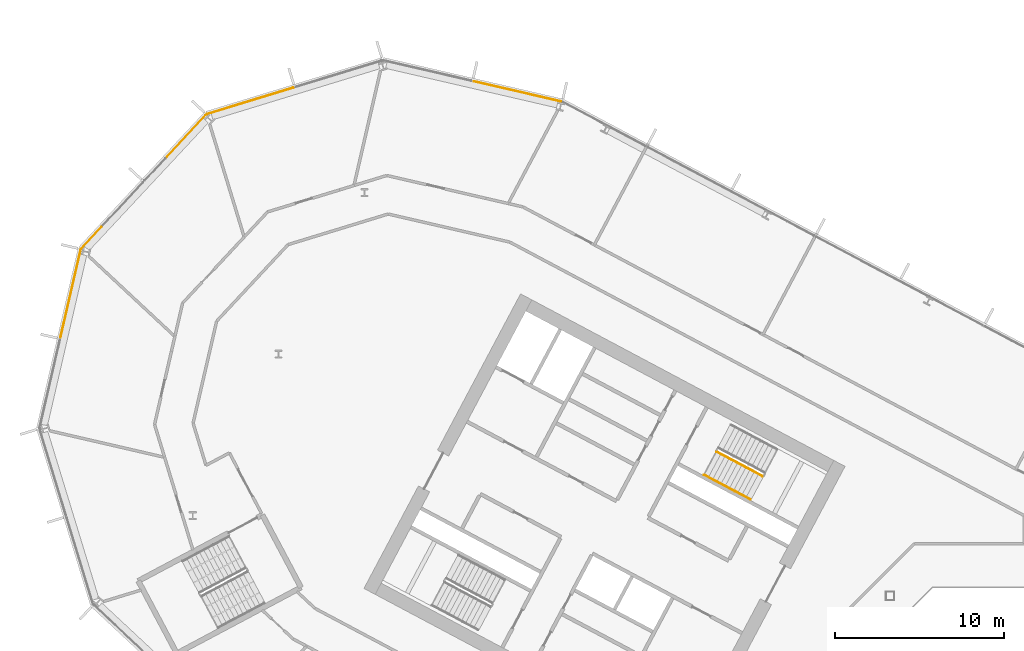
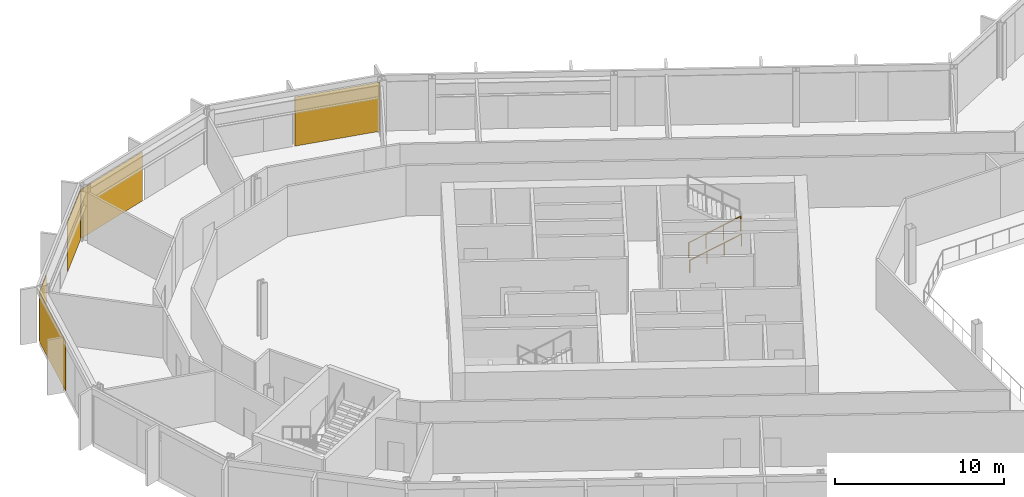
# One storey, part 22 of 28: 5 coverings, 2 railings, 4 elements without a shape of their own.
"""IFC4 building model written with IfcOpenShell, lengths in metres."""

from ifc_helpers import new_model, si_unit, direction, frame, origin, origin_2d, place, context, subcontext, project, spatial, polyline, rectangle, outline, extrude, material, layer, layer_set, type_object, element, aggregate, save


model = new_model("IFC4")

# Units and contexts
model_context = context("Model", 3, precision=1e-05, world=origin(), true_north=direction((0.0, 1.0)))
body_context = subcontext(model_context, "Body", "Model", "MODEL_VIEW")
ifc_project = project(units=[si_unit("LENGTHUNIT", "METRE"), si_unit("AREAUNIT", "SQUARE_METRE"), si_unit("VOLUMEUNIT", "CUBIC_METRE"), si_unit("PLANEANGLEUNIT", "RADIAN"), si_unit("MASSUNIT", "GRAM", prefix="KILO")], contexts=[model_context])

# Site, building, storey
site_placement = place(None, origin())
site = spatial("IfcSite", under=ifc_project, at=site_placement, CompositionType="ELEMENT")
building_placement = place(site_placement, origin())
building = spatial("IfcBuilding", under=site, at=building_placement, Name="Cormorant Relay Tower", CompositionType="ELEMENT")
storey_placement = place(building_placement, frame((0.0, 0.0, 158.199951171875)))
storey = spatial("IfcBuildingStorey", under=building, at=storey_placement, Name="L33", CompositionType="ELEMENT", Elevation=158.199951171875)

# Curtain wall, covering
ifc_material_1 = material(Name="Aluminium 6063-T6 anodised bronze", Category="aluminium")
ifc_layer_1 = layer(ifc_material_1, 0.199951171875)
ifc_layer_set_1 = layer_set([ifc_layer_1], Name="CW1 unitised bronze curtain wall with vertical fins")
curtain_wall_type = type_object("IfcCurtainWallType", Name="CW1 unitised bronze curtain wall with vertical fins", PredefinedType="NOTDEFINED", material=ifc_layer_set_1)
curtain_wall_1_placement = place(storey_placement, origin())
curtain_wall_1 = element("IfcCurtainWall", 1, at=curtain_wall_1_placement, inside=storey, type_object=curtain_wall_type, Name="CW1 curtain wall 10", PredefinedType="NOTDEFINED")
ifc_material_2 = material(Name="Pale bronze anodised aluminium insulated panel", Category="aluminium")
ifc_layer_2 = layer(ifc_material_2, 0.0400390625)
ifc_layer_set_2 = layer_set([ifc_layer_2], Name="CW1 pale bronze insulated panel 40")
covering_type = type_object("IfcCoveringType", Name="CW1 pale bronze insulated panel 40", PredefinedType="CLADDING", material=ifc_layer_set_2)
covering_1_placement = place(storey_placement, frame((-32.51708984375, 40.298828125, 0.0), z_axis=(0.0, 0.0, 1.0), x_axis=(-0.974370064785, 0.224951054344, 0.0)))
covering_1 = element("IfcCovering", 2, at=covering_1_placement, type_object=covering_type, Name="CW1 panel S00", PredefinedType="CLADDING", context=body_context, shape_type="SweptSolid", body=[
    extrude(rectangle(XDim=5.28515625, YDim=0.0400390625, at=origin_2d()), origin(), (0.0, 0.0, 1.0), 3.550048828125),
])
aggregate(curtain_wall_1, [covering_1])

curtain_wall_2_placement = place(storey_placement, origin())
curtain_wall_2 = element("IfcCurtainWall", 3, at=curtain_wall_2_placement, inside=storey, type_object=curtain_wall_type, Name="CW1 curtain wall 11", PredefinedType="NOTDEFINED")
covering_2_placement = place(storey_placement, frame((-48.3037109375, 39.73779296875, 0.0), z_axis=(0.0, 0.0, 1.0), x_axis=(-0.956304755963, -0.292371704723, 0.0)))
covering_2 = element("IfcCovering", 4, at=covering_2_placement, type_object=covering_type, Name="CW1 panel S02", PredefinedType="CLADDING", context=body_context, shape_type="SweptSolid", body=[
    extrude(rectangle(XDim=5.360107421875, YDim=0.0400390625, at=origin_2d()), origin(), (0.0, 0.0, 1.0), 3.550048828125),
])
aggregate(curtain_wall_2, [covering_2])

# Curtain wall, coverings
curtain_wall_3_placement = place(storey_placement, origin())
curtain_wall_3 = element("IfcCurtainWall", 5, at=curtain_wall_3_placement, inside=storey, type_object=curtain_wall_type, Name="CW1 curtain wall 12", PredefinedType="NOTDEFINED")
covering_3_placement = place(storey_placement, frame((-52.115234375, 37.61962890625, 0.0), z_axis=(0.0, 0.0, 1.0), x_axis=(-0.681998360062, -0.731353701619, 0.0)))
covering_3 = element("IfcCovering", 6, at=covering_3_placement, type_object=covering_type, Name="CW1 panel S00", PredefinedType="CLADDING", context=body_context, shape_type="SweptSolid", body=[
    extrude(rectangle(XDim=3.485107421875, YDim=0.0400390625, at=origin_2d()), origin(), (0.0, 0.0, 1.0), 3.550048828125),
])
covering_4_placement = place(storey_placement, frame((-57.68896484375, 31.642333984375, 0.0), z_axis=(0.0, 0.0, 1.0), x_axis=(-0.681998360062, -0.731353701619, 0.0)))
covering_4 = element("IfcCovering", 7, at=covering_4_placement, type_object=covering_type, Name="CW1 panel S03", PredefinedType="CLADDING", context=body_context, shape_type="SweptSolid", body=[
    extrude(rectangle(XDim=1.76025390625, YDim=0.0400390625, at=origin_2d()), origin(), (0.0, 0.0, 1.0), 3.550048828125),
])
aggregate(curtain_wall_3, [covering_3, covering_4])

# Curtain wall, covering
curtain_wall_4_placement = place(storey_placement, origin())
curtain_wall_4 = element("IfcCurtainWall", 8, at=curtain_wall_4_placement, inside=storey, type_object=curtain_wall_type, Name="CW1 curtain wall 13", PredefinedType="NOTDEFINED")
covering_5_placement = place(storey_placement, frame((-58.905517578125, 28.341796875, 0.0), z_axis=(0.0, 0.0, 1.0), x_axis=(-0.224951054344, -0.974370064785, 0.0)))
covering_5 = element("IfcCovering", 9, at=covering_5_placement, type_object=covering_type, Name="CW1 panel S00", PredefinedType="CLADDING", context=body_context, shape_type="SweptSolid", body=[
    extrude(rectangle(XDim=5.28515625, YDim=0.0400390625, at=origin_2d()), origin(), (0.0, 0.0, 1.0), 3.550048828125),
])
aggregate(curtain_wall_4, [covering_5])

# Railings
ifc_material_3 = material(Name="Steel ASTM A572 Grade 50 (Fy 345 MPa)", Category="steel")
railing_type_1 = type_object("IfcRailingType", Name="Stair guard 1100", PredefinedType="GUARDRAIL", material=ifc_material_3)
railing_1_placement = place(storey_placement, frame((-20.75048828125, 19.017822265625, 0.166748046875)))
element("IfcRailing", 10, at=railing_1_placement, inside=storey, type_object=railing_type_1, Name="L33 A1 stair guard 1", PredefinedType="GUARDRAIL", context=body_context, shape_type="SweptSolid", body=[
    extrude(outline(polyline([(0.022216796875, 0.00927734375), (0.00927734375, 0.022216796875), (-0.00927734375, 0.022216796875), (-0.022216796875, 0.00927734375), (-0.022216796875, -0.00927734375), (-0.00927734375, -0.022216796875), (0.00927734375, -0.022216796875), (0.022216796875, -0.00927734375), (0.022216796875, 0.00927734375)])), frame((0.0, 0.0, 1.076171875), z_axis=(0.758734504837, -0.403377838015, 0.511476559549), x_axis=(0.469427602063, 0.882970965786, 0.0)), (0.0, 0.0, 1.0), 3.584228515625),
    extrude(outline(polyline([(0.019287109375, 0.008056640625), (0.008056640625, 0.019287109375), (-0.008056640625, 0.019287109375), (-0.019287109375, 0.008056640625), (-0.019287109375, -0.008056640625), (-0.008056640625, -0.019287109375), (0.008056640625, -0.019287109375), (0.019287109375, -0.008056640625), (0.019287109375, 0.008056640625)])), origin(), (0.0, 0.0, 1.0), 1.052001953125),
    extrude(outline(polyline([(0.019287109375, 0.008056640625), (0.008056640625, 0.019287109375), (-0.008056640625, 0.019287109375), (-0.019287109375, 0.008056640625), (-0.019287109375, -0.008056640625), (-0.008056640625, -0.019287109375), (0.008056640625, -0.019287109375), (0.019287109375, -0.008056640625), (0.019287109375, 0.008056640625)])), frame((0.906494140625, -0.48193359375, 0.611083984375)), (0.0, 0.0, 1.0), 1.052001953125),
    extrude(outline(polyline([(0.019287109375, 0.008056640625), (0.008056640625, 0.019287109375), (-0.008056640625, 0.019287109375), (-0.019287109375, 0.008056640625), (-0.019287109375, -0.008056640625), (-0.008056640625, -0.019287109375), (0.008056640625, -0.019287109375), (0.019287109375, -0.008056640625), (0.019287109375, 0.008056640625)])), frame((1.81298828125, -0.9638671875, 1.22216796875)), (0.0, 0.0, 1.0), 1.052001953125),
    extrude(outline(polyline([(0.019287109375, 0.008056640625), (0.008056640625, 0.019287109375), (-0.008056640625, 0.019287109375), (-0.019287109375, 0.008056640625), (-0.019287109375, -0.008056640625), (-0.008056640625, -0.019287109375), (0.008056640625, -0.019287109375), (0.019287109375, -0.008056640625), (0.019287109375, 0.008056640625)])), frame((2.719482421875, -1.44580078125, 1.833251953125)), (0.0, 0.0, 1.0), 1.052001953125),
])
ifc_material_4 = material(Name="Steel ASTM A572 Grade 50 (Fy 345 MPa)", Category="steel")
railing_type_2 = type_object("IfcRailingType", Name="Stair handrail 900", PredefinedType="HANDRAIL", material=ifc_material_4)
railing_2_placement = place(storey_placement, frame((-21.478271484375, 17.6494140625, 0.166748046875)))
element("IfcRailing", 11, at=railing_2_placement, inside=storey, type_object=railing_type_2, Name="L33 A1 stair handrail 1", PredefinedType="HANDRAIL", context=body_context, shape_type="SweptSolid", body=[
    extrude(outline(polyline([(0.022216796875, 0.00927734375), (0.00927734375, 0.022216796875), (-0.00927734375, 0.022216796875), (-0.022216796875, 0.00927734375), (-0.022216796875, -0.00927734375), (-0.00927734375, -0.022216796875), (0.00927734375, -0.022216796875), (0.022216796875, -0.00927734375), (0.022216796875, 0.00927734375)])), frame((0.0, 0.0, 0.8759765625), z_axis=(0.758713656843, -0.403434867536, 0.511462505542), x_axis=(0.469489399267, 0.882938108802, 0.0)), (0.0, 0.0, 1.0), 3.584228515625),
    extrude(outline(polyline([(0.019287109375, 0.008056640625), (0.008056640625, 0.019287109375), (-0.008056640625, 0.019287109375), (-0.019287109375, 0.008056640625), (-0.019287109375, -0.008056640625), (-0.008056640625, -0.019287109375), (0.008056640625, -0.019287109375), (0.019287109375, -0.008056640625), (0.019287109375, 0.008056640625)])), origin(), (0.0, 0.0, 1.0), 0.851806640625),
    extrude(outline(polyline([(0.019287109375, 0.008056640625), (0.008056640625, 0.019287109375), (-0.008056640625, 0.019287109375), (-0.019287109375, 0.008056640625), (-0.019287109375, -0.008056640625), (-0.008056640625, -0.019287109375), (0.008056640625, -0.019287109375), (0.019287109375, -0.008056640625), (0.019287109375, 0.008056640625)])), frame((0.906494140625, -0.48193359375, 0.611083984375)), (0.0, 0.0, 1.0), 0.851806640625),
    extrude(outline(polyline([(0.019287109375, 0.008056640625), (0.008056640625, 0.019287109375), (-0.008056640625, 0.019287109375), (-0.019287109375, 0.008056640625), (-0.019287109375, -0.008056640625), (-0.008056640625, -0.019287109375), (0.008056640625, -0.019287109375), (0.019287109375, -0.008056640625), (0.019287109375, 0.008056640625)])), frame((1.81298828125, -0.964111328125, 1.22216796875)), (0.0, 0.0, 1.0), 0.851806640625),
    extrude(outline(polyline([(0.019287109375, 0.008056640625), (0.008056640625, 0.019287109375), (-0.008056640625, 0.019287109375), (-0.019287109375, 0.008056640625), (-0.019287109375, -0.008056640625), (-0.008056640625, -0.019287109375), (0.008056640625, -0.019287109375), (0.019287109375, -0.008056640625), (0.019287109375, 0.008056640625)])), frame((2.719482421875, -1.446044921875, 1.833251953125)), (0.0, 0.0, 1.0), 0.851806640625),
])

save(model, "model.ifc")
